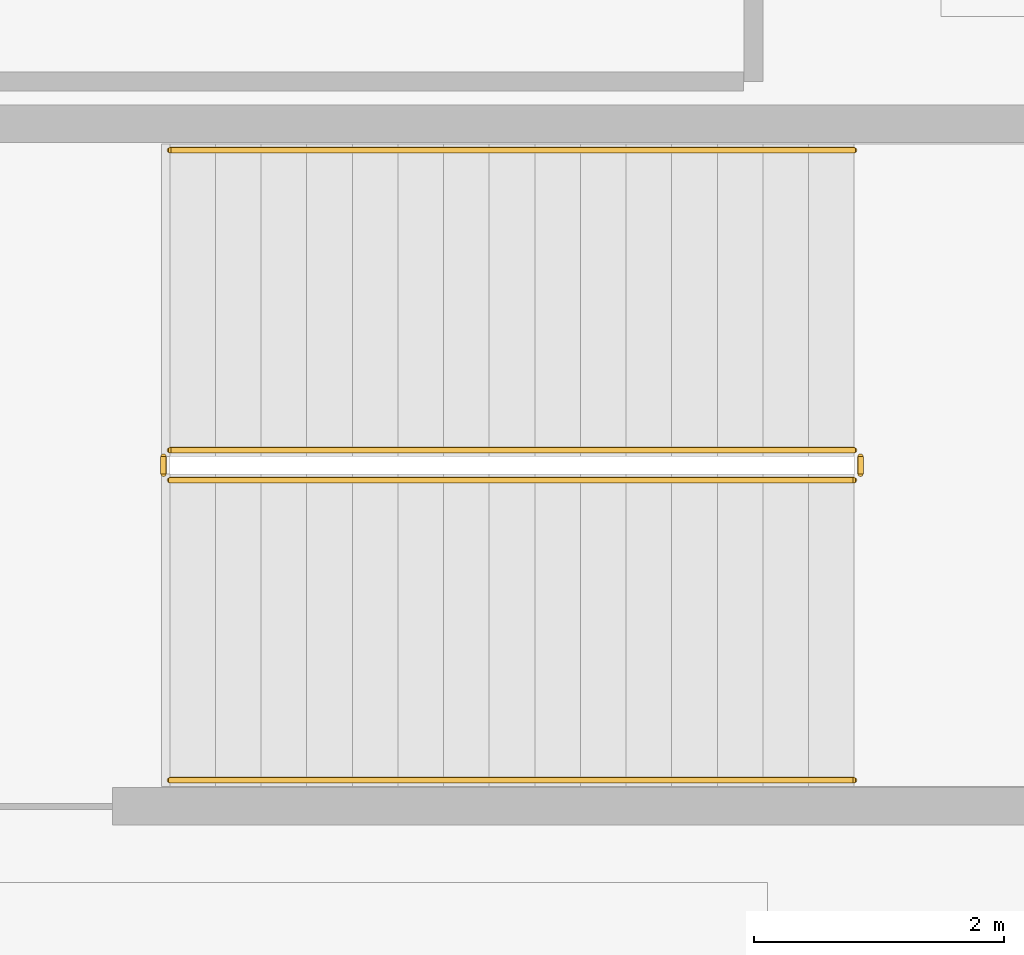
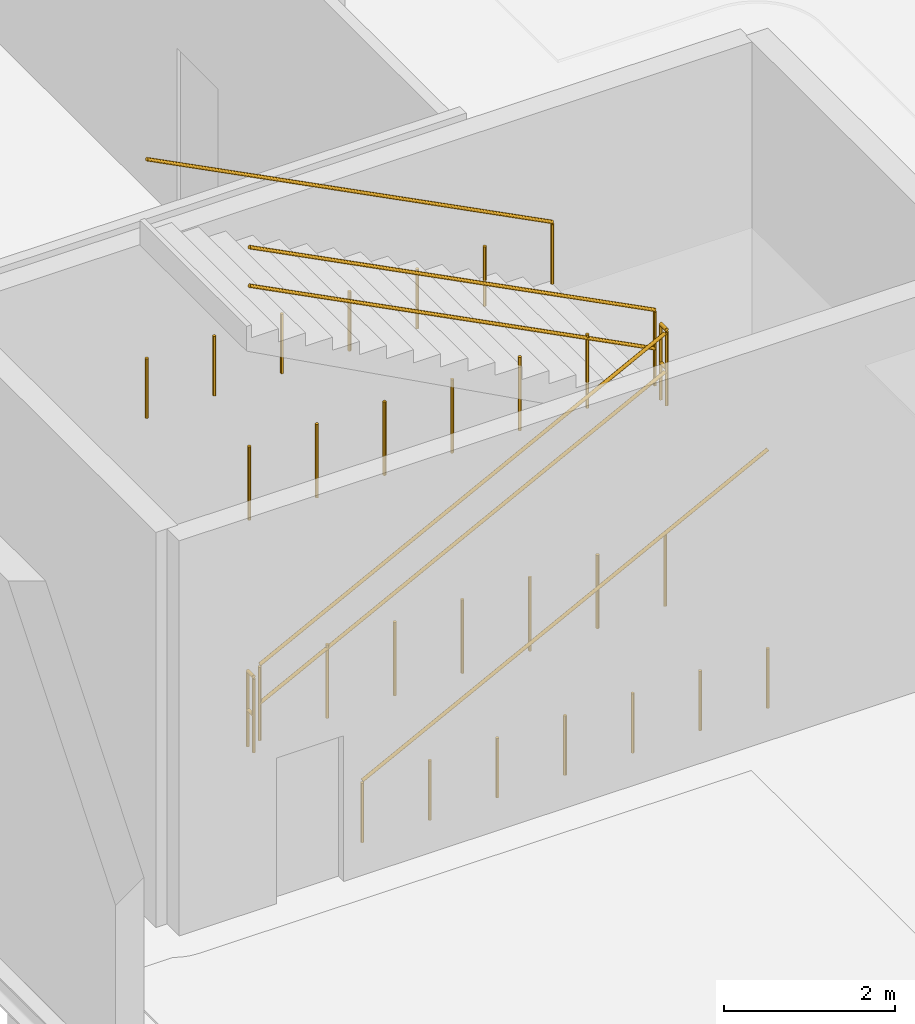
# One storey, part 120 of 124: 6 railings.
"""IFC4 building model written with IfcOpenShell, lengths in metres."""

from ifc_helpers import new_model, si_unit, direction, frame, origin, origin_2d, place, context, subcontext, project, spatial, circle, extrude, material, type_object, element, save


model = new_model("IFC4")

# Units and contexts
model_context = context("Model", 3, precision=1e-05, world=origin(), true_north=direction((0.0, 1.0)))
body_context = subcontext(model_context, "Body", "Model", "MODEL_VIEW")
ifc_project = project(units=[si_unit("LENGTHUNIT", "METRE"), si_unit("AREAUNIT", "SQUARE_METRE"), si_unit("VOLUMEUNIT", "CUBIC_METRE"), si_unit("PLANEANGLEUNIT", "RADIAN"), si_unit("MASSUNIT", "GRAM", prefix="KILO")], contexts=[model_context])

# Site, building, storey
site_placement = place(None, origin())
site = spatial("IfcSite", under=ifc_project, at=site_placement, CompositionType="ELEMENT")
building_placement = place(site_placement, origin())
building = spatial("IfcBuilding", under=site, at=building_placement, Name="Danafjord Basin Convention Centre", CompositionType="ELEMENT")
storey_placement = place(building_placement, origin())
storey = spatial("IfcBuildingStorey", under=building, at=storey_placement, Name="L00", CompositionType="ELEMENT", Elevation=0.0)

# Railings
ifc_material_1 = material(Name="Galvanised steel S355", Category="steel")
railing_type_1 = type_object("IfcRailingType", Name="RL-GD-WELL", PredefinedType="BALUSTRADE", material=ifc_material_1)
railing_1_placement = place(storey_placement, frame((138.929931640625, 120.81005859375, 0.1875)))
element("IfcRailing", 1, at=railing_1_placement, inside=storey, type_object=railing_type_1, Name="L00 ST-12 stair guard 1", PredefinedType="BALUSTRADE", context=body_context, shape_type="SweptSolid", body=[
    extrude(circle(Radius=0.02392578125, at=origin_2d()), frame((0.0, 0.0, 1.076171875), z_axis=(0.889503409663, 0.0, 0.456928532922), x_axis=(0.0, 1.0, 0.0)), (0.0, 0.0, 1.0), 6.1552734375),
    extrude(circle(Radius=0.02392578125, at=origin_2d()), frame((0.0, 0.0, 0.52587890625), z_axis=(0.889503409663, 0.0, 0.456928532922), x_axis=(0.0, 1.0, 0.0)), (0.0, 0.0, 1.0), 6.1552734375),
    extrude(circle(Radius=0.02099609375, at=origin_2d()), origin(), (0.0, 0.0, 1.0), 1.050048828125),
    extrude(circle(Radius=0.02099609375, at=origin_2d()), frame((0.91259765625, 0.0, 0.0)), (0.0, 0.0, 1.0), 1.050048828125),
    extrude(circle(Radius=0.02099609375, at=origin_2d()), frame((1.824951171875, 0.0, 0.0)), (0.0, 0.0, 1.0), 1.050048828125),
    extrude(circle(Radius=0.02099609375, at=origin_2d()), frame((2.737548828125, 0.0, 0.0)), (0.0, 0.0, 1.0), 1.050048828125),
    extrude(circle(Radius=0.02099609375, at=origin_2d()), frame((3.650146484375, 0.0, 0.0)), (0.0, 0.0, 1.0), 1.050048828125),
    extrude(circle(Radius=0.02099609375, at=origin_2d()), frame((4.5625, 0.0, 0.0)), (0.0, 0.0, 1.0), 1.050048828125),
    extrude(circle(Radius=0.02099609375, at=origin_2d()), frame((5.47509765625, 0.0, 0.0)), (0.0, 0.0, 1.0), 1.050048828125),
])
railing_2_placement = place(storey_placement, frame((144.455078125, 120.860107421875, 3.0)))
element("IfcRailing", 2, at=railing_2_placement, inside=storey, type_object=railing_type_1, Name="L00 ST-12 stair guard 2", PredefinedType="BALUSTRADE", context=body_context, shape_type="SweptSolid", body=[
    extrude(circle(Radius=0.02392578125, at=origin_2d()), frame((0.0, 0.0, 1.076171875), z_axis=(0.0, 1.0, 0.0), x_axis=(-1.0, 0.0, 0.0)), (0.0, 0.0, 1.0), 0.139892578125),
    extrude(circle(Radius=0.02392578125, at=origin_2d()), frame((0.0, 0.0, 0.52587890625), z_axis=(0.0, 1.0, 0.0), x_axis=(-1.0, 0.0, 0.0)), (0.0, 0.0, 1.0), 0.139892578125),
    extrude(circle(Radius=0.02099609375, at=origin_2d()), origin(), (0.0, 0.0, 1.0), 1.050048828125),
    extrude(circle(Radius=0.02099609375, at=origin_2d()), frame((0.0, 0.139892578125, 0.0)), (0.0, 0.0, 1.0), 1.050048828125),
])
railing_3_placement = place(storey_placement, frame((144.405029296875, 121.050048828125, 3.1875)))
element("IfcRailing", 3, at=railing_3_placement, inside=storey, type_object=railing_type_1, Name="L00 ST-12 stair guard 3", PredefinedType="BALUSTRADE", context=body_context, shape_type="SweptSolid", body=[
    extrude(circle(Radius=0.02392578125, at=origin_2d()), frame((0.0, 0.0, 1.076171875), z_axis=(-0.889503409663, 0.0, 0.456928532922), x_axis=(0.0, -1.0, 0.0)), (0.0, 0.0, 1.0), 6.1552734375),
    extrude(circle(Radius=0.02392578125, at=origin_2d()), frame((0.0, 0.0, 0.52587890625), z_axis=(-0.889503409663, 0.0, 0.456928532922), x_axis=(0.0, -1.0, 0.0)), (0.0, 0.0, 1.0), 6.1552734375),
    extrude(circle(Radius=0.02099609375, at=origin_2d()), origin(), (0.0, 0.0, 1.0), 1.050048828125),
    extrude(circle(Radius=0.02099609375, at=origin_2d()), frame((-0.91259765625, 0.0, 0.0)), (0.0, 0.0, 1.0), 1.050048828125),
    extrude(circle(Radius=0.02099609375, at=origin_2d()), frame((-1.824951171875, 0.0, 0.0)), (0.0, 0.0, 1.0), 1.050048828125),
    extrude(circle(Radius=0.02099609375, at=origin_2d()), frame((-2.737548828125, 0.0, 0.0)), (0.0, 0.0, 1.0), 1.050048828125),
    extrude(circle(Radius=0.02099609375, at=origin_2d()), frame((-3.650146484375, 0.0, 0.0)), (0.0, 0.0, 1.0), 1.050048828125),
    extrude(circle(Radius=0.02099609375, at=origin_2d()), frame((-4.5625, 0.0, 0.0)), (0.0, 0.0, 1.0), 1.050048828125),
    extrude(circle(Radius=0.02099609375, at=origin_2d()), frame((-5.47509765625, 0.0, 0.0)), (0.0, 0.0, 1.0), 1.050048828125),
])
railing_4_placement = place(storey_placement, frame((138.8798828125, 120.860107421875, 0.0)))
element("IfcRailing", 4, at=railing_4_placement, inside=storey, type_object=railing_type_1, Name="L00 ST-12 stair guard 4", PredefinedType="BALUSTRADE", context=body_context, shape_type="SweptSolid", body=[
    extrude(circle(Radius=0.02392578125, at=origin_2d()), frame((0.0, 0.0, 1.076171875), z_axis=(0.0, 1.0, 0.0), x_axis=(-1.0, 0.0, 0.0)), (0.0, 0.0, 1.0), 0.139892578125),
    extrude(circle(Radius=0.02392578125, at=origin_2d()), frame((0.0, 0.0, 0.52587890625), z_axis=(0.0, 1.0, 0.0), x_axis=(-1.0, 0.0, 0.0)), (0.0, 0.0, 1.0), 0.139892578125),
    extrude(circle(Radius=0.02099609375, at=origin_2d()), origin(), (0.0, 0.0, 1.0), 1.050048828125),
    extrude(circle(Radius=0.02099609375, at=origin_2d()), frame((0.0, 0.139892578125, 0.0)), (0.0, 0.0, 1.0), 1.050048828125),
])
ifc_material_2 = material(Name="Brushed stainless steel EN 1.4404", Category="steel")
railing_type_2 = type_object("IfcRailingType", Name="RL-HR-STAIR", PredefinedType="HANDRAIL", material=ifc_material_2)
railing_5_placement = place(storey_placement, frame((138.929931640625, 118.409912109375, 0.1875)))
element("IfcRailing", 5, at=railing_5_placement, inside=storey, type_object=railing_type_2, Name="L00 ST-12 stair handrail 1", PredefinedType="HANDRAIL", context=body_context, shape_type="SweptSolid", body=[
    extrude(circle(Radius=0.02392578125, at=origin_2d()), frame((0.0, 0.0, 0.8759765625), z_axis=(0.889503409663, 0.0, 0.456928532922), x_axis=(0.0, 1.0, 0.0)), (0.0, 0.0, 1.0), 6.1552734375),
    extrude(circle(Radius=0.02099609375, at=origin_2d()), origin(), (0.0, 0.0, 1.0), 0.849853515625),
    extrude(circle(Radius=0.02099609375, at=origin_2d()), frame((0.91259765625, 0.0, 0.0)), (0.0, 0.0, 1.0), 0.849853515625),
    extrude(circle(Radius=0.02099609375, at=origin_2d()), frame((1.824951171875, 0.0, 0.0)), (0.0, 0.0, 1.0), 0.849853515625),
    extrude(circle(Radius=0.02099609375, at=origin_2d()), frame((2.737548828125, 0.0, 0.0)), (0.0, 0.0, 1.0), 0.849853515625),
    extrude(circle(Radius=0.02099609375, at=origin_2d()), frame((3.650146484375, 0.0, 0.0)), (0.0, 0.0, 1.0), 0.849853515625),
    extrude(circle(Radius=0.02099609375, at=origin_2d()), frame((4.5625, 0.0, 0.0)), (0.0, 0.0, 1.0), 0.849853515625),
    extrude(circle(Radius=0.02099609375, at=origin_2d()), frame((5.47509765625, 0.0, 0.0)), (0.0, 0.0, 1.0), 0.849853515625),
])
railing_6_placement = place(storey_placement, frame((144.405029296875, 123.449951171875, 3.1875)))
element("IfcRailing", 6, at=railing_6_placement, inside=storey, type_object=railing_type_2, Name="L00 ST-12 stair handrail 2", PredefinedType="HANDRAIL", context=body_context, shape_type="SweptSolid", body=[
    extrude(circle(Radius=0.02392578125, at=origin_2d()), frame((0.0, 0.0, 0.8759765625), z_axis=(-0.889503409663, 0.0, 0.456928532922), x_axis=(0.0, -1.0, 0.0)), (0.0, 0.0, 1.0), 6.1552734375),
    extrude(circle(Radius=0.02099609375, at=origin_2d()), origin(), (0.0, 0.0, 1.0), 0.849853515625),
    extrude(circle(Radius=0.02099609375, at=origin_2d()), frame((-0.91259765625, 0.0, 0.0)), (0.0, 0.0, 1.0), 0.849853515625),
    extrude(circle(Radius=0.02099609375, at=origin_2d()), frame((-1.824951171875, 0.0, 0.0)), (0.0, 0.0, 1.0), 0.849853515625),
    extrude(circle(Radius=0.02099609375, at=origin_2d()), frame((-2.737548828125, 0.0, 0.0)), (0.0, 0.0, 1.0), 0.849853515625),
    extrude(circle(Radius=0.02099609375, at=origin_2d()), frame((-3.650146484375, 0.0, 0.0)), (0.0, 0.0, 1.0), 0.849853515625),
    extrude(circle(Radius=0.02099609375, at=origin_2d()), frame((-4.5625, 0.0, 0.0)), (0.0, 0.0, 1.0), 0.849853515625),
    extrude(circle(Radius=0.02099609375, at=origin_2d()), frame((-5.47509765625, 0.0, 0.0)), (0.0, 0.0, 1.0), 0.849853515625),
])

save(model, "model.ifc")
